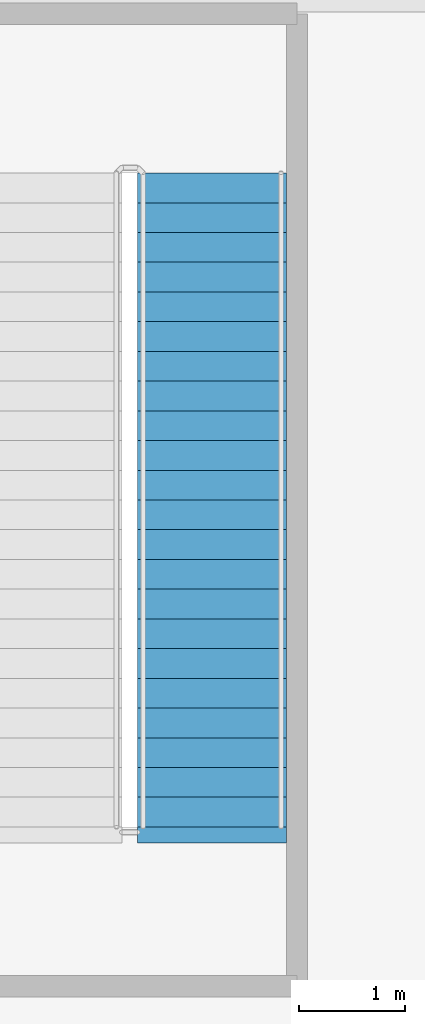
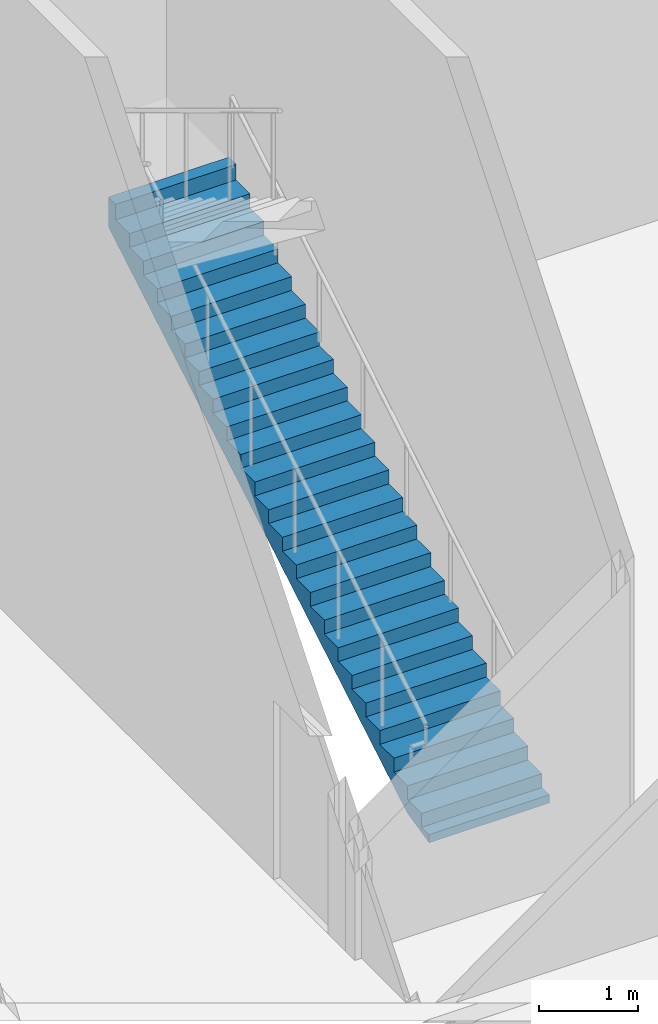
# One storey, part 30 of 37: 1 stair flight, 1 element without a shape of its own.
"""IFC4 building model written with IfcOpenShell, lengths in metres."""

import ifcopenshell
import ifcopenshell.guid

model = None  # the IFC model being written
_history = None  # IfcOwnerHistory: only IFC2X3 demands one
_inside = {}  # id of a spatial element -> (the spatial element, [elements in it])
_under = {}  # id of a project, library or spatial element -> (it, [spatial elements below it])
_declared = {}  # id of a project -> (the project, [libraries it declares])
_typed = {}  # id of a type object -> (the type object, [elements of that type])
_made_of = {}  # id of a material, layer set ... -> (it, [elements and type objects made of it])


def new_model(schema):
    """Start an empty IFC model of exactly this schema.

    Asked for "IFC4X3", IfcOpenShell would pick the latest addendum, in which some entities
    have other attributes; the version numbers below select the first issue.
    IFC2X3 requires an IfcOwnerHistory on every rooted entity: one is made here for all.
    """
    global model, _history
    if schema == "IFC4X3":
        model = ifcopenshell.file(schema_version=(4, 3, 0, 0))
    else:
        model = ifcopenshell.file(schema=schema)
    _inside.clear()
    _under.clear()
    _declared.clear()
    _typed.clear()
    _made_of.clear()
    _history = None
    if model.schema == "IFC2X3":
        org = make("IfcOrganization", Name="unknown")
        user = make(
            "IfcPersonAndOrganization",
            ThePerson=make("IfcPerson", FamilyName="unknown"),
            TheOrganization=org,
        )
        app = make(
            "IfcApplication",
            ApplicationDeveloper=org,
            Version="unknown",
            ApplicationFullName="unknown",
            ApplicationIdentifier="unknown",
        )
        _history = make(
            "IfcOwnerHistory",
            OwningUser=user,
            OwningApplication=app,
            ChangeAction="ADDED",
            CreationDate=0,
        )
    return model


def make(cls, **values):
    """One entity of the class cls with the attributes given. An attribute that is None is left unset."""
    return model.create_entity(
        cls, **{name: value for name, value in values.items() if value is not None}
    )


def rooted(cls, **values):
    """An entity with a GlobalId (a new one), such as an element, a storey or a relation."""
    return make(cls, GlobalId=ifcopenshell.guid.new(), OwnerHistory=_history, **values)


def si_unit(unit_type, name, prefix=None):
    """IfcSIUnit, for example si_unit("LENGTHUNIT", "METRE", prefix="MILLI")."""
    return make("IfcSIUnit", UnitType=unit_type, Prefix=prefix, Name=name)


def assignment(units):
    """IfcUnitAssignment: the units of a project."""
    return None if units is None else make("IfcUnitAssignment", Units=units)


def point(xyz):
    """IfcCartesianPoint."""
    return None if xyz is None else make("IfcCartesianPoint", Coordinates=xyz)


def direction(xyz):
    """IfcDirection."""
    return None if xyz is None else make("IfcDirection", DirectionRatios=xyz)


def frame(location, z_axis=None, x_axis=None):
    """IfcAxis2Placement3D, a coordinate frame: its origin and axes. An axis left out is left unset."""
    return make(
        "IfcAxis2Placement3D",
        Location=point(location),
        Axis=direction(z_axis),
        RefDirection=direction(x_axis),
    )


def origin():
    """The frame at (0, 0, 0) with its axes left unset."""
    return frame((0.0, 0.0, 0.0))


def place(relative_to, where):
    """IfcLocalPlacement: puts the frame where relative to a parent placement (None: the world)."""
    return make(
        "IfcLocalPlacement", PlacementRelTo=relative_to, RelativePlacement=where
    )


def context(
    kind, dimensions, precision=None, world=None, true_north=None, identifier=None
):
    """IfcGeometricRepresentationContext, for example the 3D "Model" context."""
    return make(
        "IfcGeometricRepresentationContext",
        ContextIdentifier=identifier,
        ContextType=kind,
        CoordinateSpaceDimension=dimensions,
        Precision=precision,
        WorldCoordinateSystem=world,
        TrueNorth=true_north,
    )


def subcontext(parent, identifier, kind, view, scale=None):
    """IfcGeometricRepresentationSubContext, for example "Body" below "Model"."""
    return make(
        "IfcGeometricRepresentationSubContext",
        ContextIdentifier=identifier,
        ContextType=kind,
        ParentContext=parent,
        TargetScale=scale,
        TargetView=view,
    )


def project(units=None, contexts=None):
    """IfcProject with its units and contexts."""
    return rooted(
        "IfcProject",
        Name="project",
        RepresentationContexts=contexts,
        UnitsInContext=assignment(units),
    )


def spatial(cls, under=None, at=None, **own):
    """A site, building, storey or space (cls), placed at a placement, below another one or the project."""
    s = rooted(cls, ObjectPlacement=at, **own)
    if under is not None:
        _under.setdefault(under.id(), (under, []))[1].append(s)
    return s


def polyline(points):
    """IfcPolyline through the points."""
    return make("IfcPolyline", Points=[point(p) for p in points])


def outline(outer, holes=None, kind="AREA"):
    """IfcArbitraryClosedProfileDef: a profile drawn as a closed curve; with holes, ...WithVoids."""
    if holes is None:
        return make("IfcArbitraryClosedProfileDef", ProfileType=kind, OuterCurve=outer)
    return make(
        "IfcArbitraryProfileDefWithVoids",
        ProfileType=kind,
        OuterCurve=outer,
        InnerCurves=holes,
    )


def extrude(swept, where, along, depth):
    """IfcExtrudedAreaSolid: the profile swept, set in the frame where, extruded along a direction by depth."""
    return make(
        "IfcExtrudedAreaSolid",
        SweptArea=swept,
        Position=where,
        ExtrudedDirection=direction(along),
        Depth=depth,
    )


def shape(context_of_items, identifier, shape_type, items):
    """IfcShapeRepresentation: the items that make up one representation, for example the "Body"."""
    return make(
        "IfcShapeRepresentation",
        ContextOfItems=context_of_items,
        RepresentationIdentifier=identifier,
        RepresentationType=shape_type,
        Items=items,
    )


def material(Name=None, Category=None):
    """IfcMaterial."""
    return make("IfcMaterial", Name=Name, Category=Category)


def layer(
    of_material, thickness, ventilated=None, Name=None, Category=None, Priority=None
):
    """IfcMaterialLayer: one layer of a wall or slab, of a material (None: an air gap)."""
    return make(
        "IfcMaterialLayer",
        Material=of_material,
        LayerThickness=thickness,
        IsVentilated=ventilated,
        Name=Name,
        Category=Category,
        Priority=Priority,
    )


def layer_set(layers, Name=None):
    """IfcMaterialLayerSet."""
    return make("IfcMaterialLayerSet", MaterialLayers=layers, LayerSetName=Name)


def made_of(thing, what):
    """Note that an element or type object is made of a material, layer set ...; save() writes the relation."""
    if what is not None:
        _made_of.setdefault(what.id(), (what, []))[1].append(thing)
    return thing


def type_object(cls, material=None, **own):
    """A type object (cls), such as IfcWallType, which elements share."""
    return made_of(rooted(cls, **own), material)


def element(
    cls,
    number,
    at=None,
    inside=None,
    cuts=None,
    type_object=None,
    material=None,
    context=None,
    identifier="Body",
    shape_type=None,
    held_by="IfcProductDefinitionShape",
    body=None,
    shapes=None,
    **own,
):
    """One element of the class cls, such as IfcWall. Its Tag is "e" and its number.

    at: its placement. inside: the storey or other place that contains it. cuts: it is an
    opening in that element (IfcRelVoidsElement). A single representation is given by context,
    identifier, shape_type and body (its items); several are given by shapes. held_by: the class
    of the entity that holds the representations. save() writes the other relations.
    """
    e = rooted(cls, Tag="e%d" % number, ObjectPlacement=at, **own)
    if body is not None:
        shapes = [shape(context, identifier, shape_type, body)]
    if shapes is not None:
        e.Representation = make(held_by, Representations=shapes)
    if inside is not None:
        _inside.setdefault(inside.id(), (inside, []))[1].append(e)
    if cuts is not None:
        rooted(
            "IfcRelVoidsElement", RelatingBuildingElement=cuts, RelatedOpeningElement=e
        )
    if type_object is not None:
        _typed.setdefault(type_object.id(), (type_object, []))[1].append(e)
    return made_of(e, material)


def aggregate(whole, parts):
    """IfcRelAggregates: a whole, such as a stair, and the parts it consists of."""
    return rooted("IfcRelAggregates", RelatingObject=whole, RelatedObjects=parts)


def save(model, path):
    """Write the relations noted so far, then the file.

    IfcRelAggregates (storeys below a building ...), IfcRelContainedInSpatialStructure (elements
    in a storey), IfcRelDefinesByType, IfcRelAssociatesMaterial and IfcRelDeclares: one each for
    every whole, place, type object, material and project.
    """
    for whole, parts in _under.values():
        aggregate(whole, parts)
    for where, things in _inside.values():
        rooted(
            "IfcRelContainedInSpatialStructure",
            RelatedElements=things,
            RelatingStructure=where,
        )
    for kind, things in _typed.values():
        rooted("IfcRelDefinesByType", RelatedObjects=things, RelatingType=kind)
    for what, things in _made_of.values():
        rooted("IfcRelAssociatesMaterial", RelatedObjects=things, RelatingMaterial=what)
    for by, libraries in _declared.values():
        rooted("IfcRelDeclares", RelatingContext=by, RelatedDefinitions=libraries)
    model.write(path)


model = new_model("IFC4")

# Units and contexts
model_context = context("Model", 3, precision=1e-05, world=origin(), true_north=direction((0.0, 1.0)))
body_context = subcontext(model_context, "Body", "Model", "MODEL_VIEW")
ifc_project = project(units=[si_unit("LENGTHUNIT", "METRE"), si_unit("AREAUNIT", "SQUARE_METRE"), si_unit("VOLUMEUNIT", "CUBIC_METRE"), si_unit("PLANEANGLEUNIT", "RADIAN"), si_unit("MASSUNIT", "GRAM", prefix="KILO")], contexts=[model_context])

# Site, building, storey
site_placement = place(None, origin())
site = spatial("IfcSite", under=ifc_project, at=site_placement, CompositionType="ELEMENT")
building_placement = place(site_placement, origin())
building = spatial("IfcBuilding", under=site, at=building_placement, Name="Kheshtan School and Residences Tower", CompositionType="ELEMENT")
storey_placement = place(building_placement, frame((0.0, 0.0, 144.800048828125)))
storey = spatial("IfcBuildingStorey", under=building, at=storey_placement, Name="L34", CompositionType="ELEMENT", Elevation=144.800048828125)

# Stair, stair flight
ifc_material = material(Name="Concrete C40/50", Category="concrete")
stair_type = type_object("IfcStairType", Name="Exit stair, half-turn", PredefinedType="HALF_TURN_STAIR", material=ifc_material)
stair_placement = place(storey_placement, origin())
stair = element("IfcStair", 1, at=stair_placement, inside=storey, type_object=stair_type, Name="L34 Protected Exit Stair ST3", PredefinedType="HALF_TURN_STAIR")
ifc_layer = layer(ifc_material, 0.14990234375)
ifc_layer_set = layer_set([ifc_layer], Name="Stair flight 1400 Concrete C40/50")
stair_flight_type = type_object("IfcStairFlightType", Name="Stair flight 1400 Concrete C40/50", PredefinedType="STRAIGHT", material=ifc_layer_set)
stair_flight_placement = place(storey_placement, frame((35.64990234375, 80.89990234375, 0.0), z_axis=(0.0, 0.0, 1.0), x_axis=(0.0, 1.0, 0.0)))
stair_flight = element("IfcStairFlight", 2, at=stair_flight_placement, type_object=stair_flight_type, Name="ST3 flight 1", NumberOfRisers=23, NumberOfTreads=22, PredefinedType="STRAIGHT", RiserHeight=0.169565217, TreadLength=0.28, context=body_context, shape_type="SweptSolid", body=[
    extrude(outline(polyline([(-0.14990234375, -0.10009765625), (-0.14990234375, 0.0), (0.0, 0.0), (0.0, 0.169677734375), (0.280029296875, 0.169677734375), (0.280029296875, 0.339111328125), (0.56005859375, 0.339111328125), (0.56005859375, 0.5087890625), (0.840087890625, 0.5087890625), (0.840087890625, 0.67822265625), (1.1201171875, 0.67822265625), (1.1201171875, 0.847900390625), (1.39990234375, 0.847900390625), (1.39990234375, 1.017333984375), (1.679931640625, 1.017333984375), (1.679931640625, 1.18701171875), (1.9599609375, 1.18701171875), (1.9599609375, 1.3564453125), (2.239990234375, 1.3564453125), (2.239990234375, 1.526123046875), (2.52001953125, 1.526123046875), (2.52001953125, 1.695556640625), (2.800048828125, 1.695556640625), (2.800048828125, 1.865234375), (3.080078125, 1.865234375), (3.080078125, 2.03466796875), (3.360107421875, 2.03466796875), (3.360107421875, 2.204345703125), (3.639892578125, 2.204345703125), (3.639892578125, 2.3740234375), (3.919921875, 2.3740234375), (3.919921875, 2.54345703125), (4.199951171875, 2.54345703125), (4.199951171875, 2.713134765625), (4.47998046875, 2.713134765625), (4.47998046875, 2.882568359375), (4.760009765625, 2.882568359375), (4.760009765625, 3.05224609375), (5.0400390625, 3.05224609375), (5.0400390625, 3.2216796875), (5.320068359375, 3.2216796875), (5.320068359375, 3.391357421875), (5.60009765625, 3.391357421875), (5.60009765625, 3.560791015625), (5.8798828125, 3.560791015625), (5.8798828125, 3.73046875), (6.159912109375, 3.73046875), (6.159912109375, 3.89990234375), (6.159912109375, 3.919921875), (6.309814453125, 3.919921875), (6.309814453125, 3.55517578125), (0.289306640625, 0.0), (-0.14990234375, -0.10009765625)])), frame((0.0, 0.699951171875, 0.0), z_axis=(0.0, -1.0, 0.0), x_axis=(1.0, 0.0, 0.0)), (0.0, 0.0, 1.0), 1.39990234375),
])
aggregate(stair, [stair_flight])

save(model, "model.ifc")
